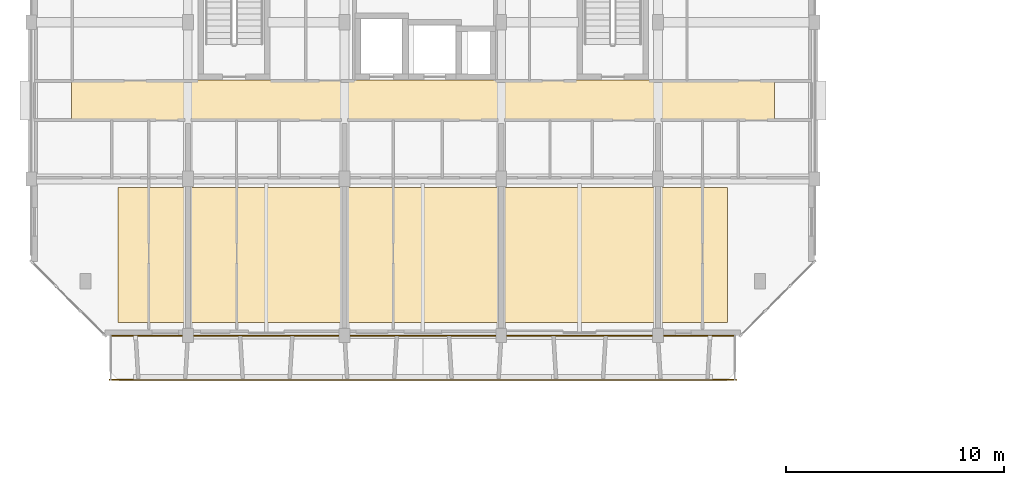
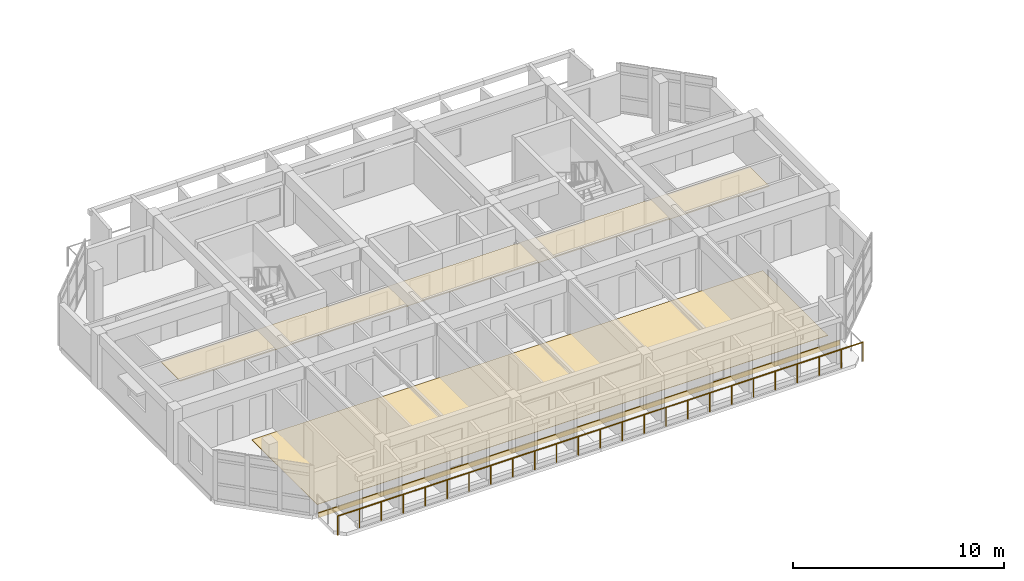
# One storey, part 53 of 64: 3 coverings, 1 railing.
"""IFC4 building model written with IfcOpenShell, lengths in metres."""

from ifc_helpers import new_model, si_unit, direction, frame, origin, origin_2d, place, context, subcontext, project, spatial, polyline, rectangle, circle, outline, extrude, material, layer, layer_set, type_object, element, save


model = new_model("IFC4")

# Units and contexts
model_context = context("Model", 3, precision=1e-05, world=origin(), true_north=direction((0.0, 1.0)))
body_context = subcontext(model_context, "Body", "Model", "MODEL_VIEW")
ifc_project = project(units=[si_unit("LENGTHUNIT", "METRE"), si_unit("AREAUNIT", "SQUARE_METRE"), si_unit("VOLUMEUNIT", "CUBIC_METRE"), si_unit("PLANEANGLEUNIT", "RADIAN"), si_unit("MASSUNIT", "GRAM", prefix="KILO")], contexts=[model_context])

# Site, building, storey
site_placement = place(None, origin())
site = spatial("IfcSite", under=ifc_project, at=site_placement, CompositionType="ELEMENT")
building_placement = place(site_placement, origin())
building = spatial("IfcBuilding", under=site, at=building_placement, Name="Ochrevale Crest", CompositionType="ELEMENT")
storey_placement = place(building_placement, frame((0.0, 0.0, 8.699951171875)))
storey = spatial("IfcBuildingStorey", under=building, at=storey_placement, Name="L02", CompositionType="ELEMENT", Elevation=8.699951171875)

# Coverings
ifc_material_1 = material(Name="Gypsum plasterboard", Category="gypsum")
ifc_layer_1 = layer(ifc_material_1, 0.02490234375)
ifc_layer_set_1 = layer_set([ifc_layer_1], Name="Gypsum plasterboard")
covering_type_1 = type_object("IfcCoveringType", Name="COV-CEIL-GYP", PredefinedType="CEILING", material=ifc_layer_set_1)
covering_1_placement = place(storey_placement, frame((0.0, 0.0, 2.280029296875)))
element("IfcCovering", 1, at=covering_1_placement, inside=storey, type_object=covering_type_1, Name="Block A L02 acoustic corridor ceiling", PredefinedType="CEILING", context=body_context, shape_type="SweptSolid", body=[
    extrude(outline(polyline([(1.85009765625, 24.260009765625), (34.14990234375, 24.260009765625), (34.14990234375, 26.139892578125), (1.85009765625, 26.139892578125), (1.85009765625, 24.260009765625)])), origin(), (0.0, 0.0, 1.0), 0.02490234375),
])
ifc_material_2 = material(Name="Glazed terracotta rainscreen tile", Category="masonry")
ifc_layer_2 = layer(ifc_material_2, 0.048095703125)
ifc_layer_set_2 = layer_set([ifc_layer_2], Name="Glazed terracotta rainscreen tile")
covering_type_2 = type_object("IfcCoveringType", Name="COV-CLAD-TER", PredefinedType="CLADDING", material=ifc_layer_set_2)
covering_2_placement = place(storey_placement, frame((18.0, 14.387451171875, -0.259765625), z_axis=(0.0, 0.0, 1.0), x_axis=(1.0, 0.0, 0.0)))
element("IfcCovering", 2, at=covering_2_placement, inside=storey, type_object=covering_type_2, Name="Block A L02 terracotta slab-edge spandrel cladding", PredefinedType="CLADDING", context=body_context, shape_type="SweptSolid", body=[
    extrude(rectangle(XDim=28.60009765625, YDim=0.06005859375, at=origin_2d()), origin(), (0.0, 0.0, 1.0), 0.280029296875),
])
ifc_material_3 = material(Name="Engineered spotted-gum hardwood flooring", Category="wood")
ifc_layer_3 = layer(ifc_material_3, 0.02001953125)
ifc_layer_set_3 = layer_set([ifc_layer_3], Name="Engineered spotted-gum hardwood flooring")
covering_type_3 = type_object("IfcCoveringType", Name="COV-FLR-TIM", PredefinedType="FLOORING", material=ifc_layer_set_3)
covering_3_placement = place(storey_placement, origin())
element("IfcCovering", 3, at=covering_3_placement, inside=storey, type_object=covering_type_3, Name="Block A L02 spotted-gum apartment flooring", PredefinedType="FLOORING", context=body_context, shape_type="SweptSolid", body=[
    extrude(outline(polyline([(4.0, 15.0), (32.0, 15.0), (32.0, 21.199951171875), (4.0, 21.199951171875), (4.0, 15.0)])), origin(), (0.0, 0.0, 1.0), 0.02001953125),
])

# Railing
ifc_material_4 = material(Name="Galvanised steel", Category="steel")
railing_type = type_object("IfcRailingType", Name="RL-BAL-1100", PredefinedType="BALUSTRADE", material=ifc_material_4)
railing_placement = place(storey_placement, frame((3.60009765625, 12.360107421875, 0.0)))
element("IfcRailing", 4, at=railing_placement, inside=storey, type_object=railing_type, Name="Block A L02 S balcony front balustrade", PredefinedType="BALUSTRADE", context=body_context, shape_type="SweptSolid", body=[
    extrude(circle(Radius=0.02392578125, at=origin_2d()), frame((0.0, 0.0, 1.0859375), z_axis=(1.0, 0.0, 0.0), x_axis=(0.0, 1.0, 0.0)), (0.0, 0.0, 1.0), 28.7998046875),
    extrude(circle(Radius=0.02099609375, at=origin_2d()), origin(), (0.0, 0.0, 1.0), 1.06201171875),
    extrude(circle(Radius=0.02099609375, at=origin_2d()), frame((1.199951171875, 0.0, 0.0)), (0.0, 0.0, 1.0), 1.06201171875),
    extrude(circle(Radius=0.02099609375, at=origin_2d()), frame((2.39990234375, 0.0, 0.0)), (0.0, 0.0, 1.0), 1.06201171875),
    extrude(circle(Radius=0.02099609375, at=origin_2d()), frame((3.60009765625, 0.0, 0.0)), (0.0, 0.0, 1.0), 1.06201171875),
    extrude(circle(Radius=0.02099609375, at=origin_2d()), frame((4.800048828125, 0.0, 0.0)), (0.0, 0.0, 1.0), 1.06201171875),
    extrude(circle(Radius=0.02099609375, at=origin_2d()), frame((6.0, 0.0, 0.0)), (0.0, 0.0, 1.0), 1.06201171875),
    extrude(circle(Radius=0.02099609375, at=origin_2d()), frame((7.199951171875, 0.0, 0.0)), (0.0, 0.0, 1.0), 1.06201171875),
    extrude(circle(Radius=0.02099609375, at=origin_2d()), frame((8.39990234375, 0.0, 0.0)), (0.0, 0.0, 1.0), 1.06201171875),
    extrude(circle(Radius=0.02099609375, at=origin_2d()), frame((9.599853515625, 0.0, 0.0)), (0.0, 0.0, 1.0), 1.06201171875),
    extrude(circle(Radius=0.02099609375, at=origin_2d()), frame((10.7998046875, 0.0, 0.0)), (0.0, 0.0, 1.0), 1.06201171875),
    extrude(circle(Radius=0.02099609375, at=origin_2d()), frame((12.0, 0.0, 0.0)), (0.0, 0.0, 1.0), 1.06201171875),
    extrude(circle(Radius=0.02099609375, at=origin_2d()), frame((13.199951171875, 0.0, 0.0)), (0.0, 0.0, 1.0), 1.06201171875),
    extrude(circle(Radius=0.02099609375, at=origin_2d()), frame((14.39990234375, 0.0, 0.0)), (0.0, 0.0, 1.0), 1.06201171875),
    extrude(circle(Radius=0.02099609375, at=origin_2d()), frame((15.599853515625, 0.0, 0.0)), (0.0, 0.0, 1.0), 1.06201171875),
    extrude(circle(Radius=0.02099609375, at=origin_2d()), frame((16.7998046875, 0.0, 0.0)), (0.0, 0.0, 1.0), 1.06201171875),
    extrude(circle(Radius=0.02099609375, at=origin_2d()), frame((18.0, 0.0, 0.0)), (0.0, 0.0, 1.0), 1.06201171875),
    extrude(circle(Radius=0.02099609375, at=origin_2d()), frame((19.199951171875, 0.0, 0.0)), (0.0, 0.0, 1.0), 1.06201171875),
    extrude(circle(Radius=0.02099609375, at=origin_2d()), frame((20.39990234375, 0.0, 0.0)), (0.0, 0.0, 1.0), 1.06201171875),
    extrude(circle(Radius=0.02099609375, at=origin_2d()), frame((21.599853515625, 0.0, 0.0)), (0.0, 0.0, 1.0), 1.06201171875),
    extrude(circle(Radius=0.02099609375, at=origin_2d()), frame((22.7998046875, 0.0, 0.0)), (0.0, 0.0, 1.0), 1.06201171875),
    extrude(circle(Radius=0.02099609375, at=origin_2d()), frame((23.999755859375, 0.0, 0.0)), (0.0, 0.0, 1.0), 1.06201171875),
    extrude(circle(Radius=0.02099609375, at=origin_2d()), frame((25.19970703125, 0.0, 0.0)), (0.0, 0.0, 1.0), 1.06201171875),
    extrude(circle(Radius=0.02099609375, at=origin_2d()), frame((26.39990234375, 0.0, 0.0)), (0.0, 0.0, 1.0), 1.06201171875),
    extrude(circle(Radius=0.02099609375, at=origin_2d()), frame((27.599853515625, 0.0, 0.0)), (0.0, 0.0, 1.0), 1.06201171875),
    extrude(circle(Radius=0.02099609375, at=origin_2d()), frame((28.7998046875, 0.0, 0.0)), (0.0, 0.0, 1.0), 1.06201171875),
])

save(model, "model.ifc")
